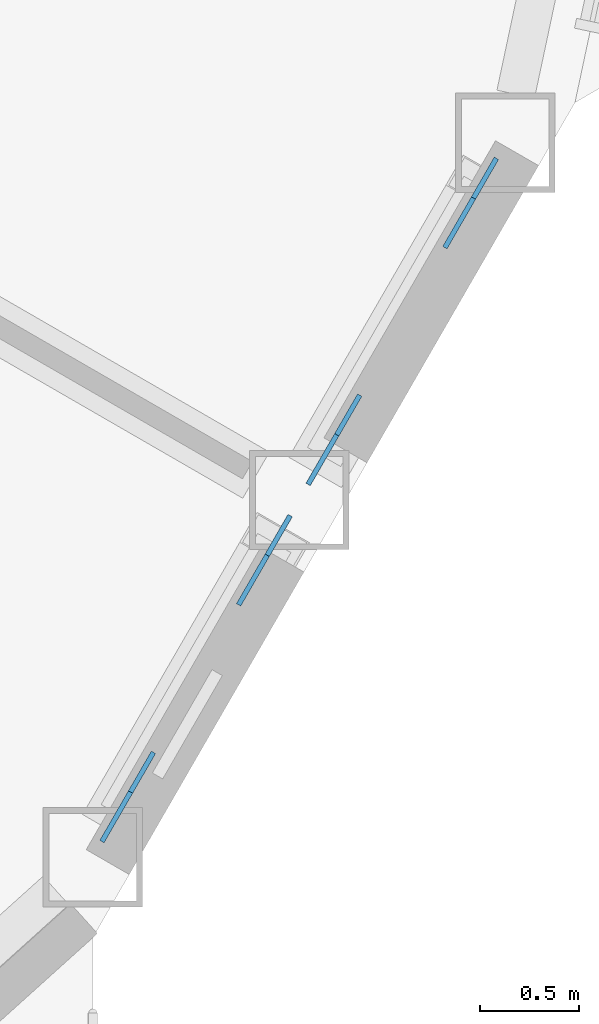
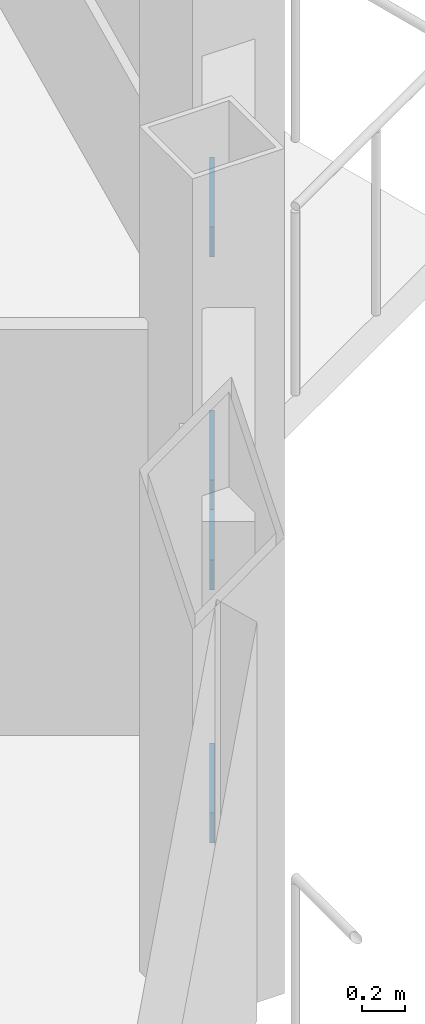
# One storey, part 20 of 26: 4 discrete accessories.
"""IFC4 building model written with IfcOpenShell, lengths in metres."""

import ifcopenshell
import ifcopenshell.guid

model = None  # the IFC model being written
_history = None  # IfcOwnerHistory: only IFC2X3 demands one
_inside = {}  # id of a spatial element -> (the spatial element, [elements in it])
_under = {}  # id of a project, library or spatial element -> (it, [spatial elements below it])
_declared = {}  # id of a project -> (the project, [libraries it declares])
_typed = {}  # id of a type object -> (the type object, [elements of that type])
_made_of = {}  # id of a material, layer set ... -> (it, [elements and type objects made of it])


def new_model(schema):
    """Start an empty IFC model of exactly this schema.

    Asked for "IFC4X3", IfcOpenShell would pick the latest addendum, in which some entities
    have other attributes; the version numbers below select the first issue.
    IFC2X3 requires an IfcOwnerHistory on every rooted entity: one is made here for all.
    """
    global model, _history
    if schema == "IFC4X3":
        model = ifcopenshell.file(schema_version=(4, 3, 0, 0))
    else:
        model = ifcopenshell.file(schema=schema)
    _inside.clear()
    _under.clear()
    _declared.clear()
    _typed.clear()
    _made_of.clear()
    _history = None
    if model.schema == "IFC2X3":
        org = make("IfcOrganization", Name="unknown")
        user = make(
            "IfcPersonAndOrganization",
            ThePerson=make("IfcPerson", FamilyName="unknown"),
            TheOrganization=org,
        )
        app = make(
            "IfcApplication",
            ApplicationDeveloper=org,
            Version="unknown",
            ApplicationFullName="unknown",
            ApplicationIdentifier="unknown",
        )
        _history = make(
            "IfcOwnerHistory",
            OwningUser=user,
            OwningApplication=app,
            ChangeAction="ADDED",
            CreationDate=0,
        )
    return model


def make(cls, **values):
    """One entity of the class cls with the attributes given. An attribute that is None is left unset."""
    return model.create_entity(
        cls, **{name: value for name, value in values.items() if value is not None}
    )


def rooted(cls, **values):
    """An entity with a GlobalId (a new one), such as an element, a storey or a relation."""
    return make(cls, GlobalId=ifcopenshell.guid.new(), OwnerHistory=_history, **values)


def si_unit(unit_type, name, prefix=None):
    """IfcSIUnit, for example si_unit("LENGTHUNIT", "METRE", prefix="MILLI")."""
    return make("IfcSIUnit", UnitType=unit_type, Prefix=prefix, Name=name)


def assignment(units):
    """IfcUnitAssignment: the units of a project."""
    return None if units is None else make("IfcUnitAssignment", Units=units)


def point(xyz):
    """IfcCartesianPoint."""
    return None if xyz is None else make("IfcCartesianPoint", Coordinates=xyz)


def direction(xyz):
    """IfcDirection."""
    return None if xyz is None else make("IfcDirection", DirectionRatios=xyz)


def frame(location, z_axis=None, x_axis=None):
    """IfcAxis2Placement3D, a coordinate frame: its origin and axes. An axis left out is left unset."""
    return make(
        "IfcAxis2Placement3D",
        Location=point(location),
        Axis=direction(z_axis),
        RefDirection=direction(x_axis),
    )


def frame_2d(location, x_axis=None):
    """IfcAxis2Placement2D, a coordinate frame in the plane: its origin and x axis."""
    return make(
        "IfcAxis2Placement2D", Location=point(location), RefDirection=direction(x_axis)
    )


def origin():
    """The frame at (0, 0, 0) with its axes left unset."""
    return frame((0.0, 0.0, 0.0))


def origin_2d():
    """The frame at (0, 0) in the plane with its x axis left unset."""
    return frame_2d((0.0, 0.0))


def place(relative_to, where):
    """IfcLocalPlacement: puts the frame where relative to a parent placement (None: the world)."""
    return make(
        "IfcLocalPlacement", PlacementRelTo=relative_to, RelativePlacement=where
    )


def context(
    kind, dimensions, precision=None, world=None, true_north=None, identifier=None
):
    """IfcGeometricRepresentationContext, for example the 3D "Model" context."""
    return make(
        "IfcGeometricRepresentationContext",
        ContextIdentifier=identifier,
        ContextType=kind,
        CoordinateSpaceDimension=dimensions,
        Precision=precision,
        WorldCoordinateSystem=world,
        TrueNorth=true_north,
    )


def subcontext(parent, identifier, kind, view, scale=None):
    """IfcGeometricRepresentationSubContext, for example "Body" below "Model"."""
    return make(
        "IfcGeometricRepresentationSubContext",
        ContextIdentifier=identifier,
        ContextType=kind,
        ParentContext=parent,
        TargetScale=scale,
        TargetView=view,
    )


def project(units=None, contexts=None):
    """IfcProject with its units and contexts."""
    return rooted(
        "IfcProject",
        Name="project",
        RepresentationContexts=contexts,
        UnitsInContext=assignment(units),
    )


def spatial(cls, under=None, at=None, **own):
    """A site, building, storey or space (cls), placed at a placement, below another one or the project."""
    s = rooted(cls, ObjectPlacement=at, **own)
    if under is not None:
        _under.setdefault(under.id(), (under, []))[1].append(s)
    return s


def profile(cls, at=None, kind="AREA", **sizes):
    """A parametric profile (cls). Its sizes go by their IFC names, for example OverallWidth=200.0."""
    return make(cls, ProfileType=kind, Position=at, **sizes)


def rectangle(**sizes):
    """IfcRectangleProfileDef."""
    return profile("IfcRectangleProfileDef", **sizes)


def extrude(swept, where, along, depth):
    """IfcExtrudedAreaSolid: the profile swept, set in the frame where, extruded along a direction by depth."""
    return make(
        "IfcExtrudedAreaSolid",
        SweptArea=swept,
        Position=where,
        ExtrudedDirection=direction(along),
        Depth=depth,
    )


def shape(context_of_items, identifier, shape_type, items):
    """IfcShapeRepresentation: the items that make up one representation, for example the "Body"."""
    return make(
        "IfcShapeRepresentation",
        ContextOfItems=context_of_items,
        RepresentationIdentifier=identifier,
        RepresentationType=shape_type,
        Items=items,
    )


def material(Name=None, Category=None):
    """IfcMaterial."""
    return make("IfcMaterial", Name=Name, Category=Category)


def material_profile(
    of_material, cross_section, Name=None, Category=None, Priority=None
):
    """IfcMaterialProfile: a cross section and its material."""
    return make(
        "IfcMaterialProfile",
        Name=Name,
        Material=of_material,
        Profile=cross_section,
        Priority=Priority,
        Category=Category,
    )


def profile_set(profiles, Name=None, composite=None):
    """IfcMaterialProfileSet."""
    return make(
        "IfcMaterialProfileSet",
        Name=Name,
        MaterialProfiles=profiles,
        CompositeProfile=composite,
    )


def made_of(thing, what):
    """Note that an element or type object is made of a material, layer set ...; save() writes the relation."""
    if what is not None:
        _made_of.setdefault(what.id(), (what, []))[1].append(thing)
    return thing


def type_object(cls, material=None, **own):
    """A type object (cls), such as IfcWallType, which elements share."""
    return made_of(rooted(cls, **own), material)


def element(
    cls,
    number,
    at=None,
    inside=None,
    cuts=None,
    type_object=None,
    material=None,
    context=None,
    identifier="Body",
    shape_type=None,
    held_by="IfcProductDefinitionShape",
    body=None,
    shapes=None,
    **own,
):
    """One element of the class cls, such as IfcWall. Its Tag is "e" and its number.

    at: its placement. inside: the storey or other place that contains it. cuts: it is an
    opening in that element (IfcRelVoidsElement). A single representation is given by context,
    identifier, shape_type and body (its items); several are given by shapes. held_by: the class
    of the entity that holds the representations. save() writes the other relations.
    """
    e = rooted(cls, Tag="e%d" % number, ObjectPlacement=at, **own)
    if body is not None:
        shapes = [shape(context, identifier, shape_type, body)]
    if shapes is not None:
        e.Representation = make(held_by, Representations=shapes)
    if inside is not None:
        _inside.setdefault(inside.id(), (inside, []))[1].append(e)
    if cuts is not None:
        rooted(
            "IfcRelVoidsElement", RelatingBuildingElement=cuts, RelatedOpeningElement=e
        )
    if type_object is not None:
        _typed.setdefault(type_object.id(), (type_object, []))[1].append(e)
    return made_of(e, material)


def aggregate(whole, parts):
    """IfcRelAggregates: a whole, such as a stair, and the parts it consists of."""
    return rooted("IfcRelAggregates", RelatingObject=whole, RelatedObjects=parts)


def save(model, path):
    """Write the relations noted so far, then the file.

    IfcRelAggregates (storeys below a building ...), IfcRelContainedInSpatialStructure (elements
    in a storey), IfcRelDefinesByType, IfcRelAssociatesMaterial and IfcRelDeclares: one each for
    every whole, place, type object, material and project.
    """
    for whole, parts in _under.values():
        aggregate(whole, parts)
    for where, things in _inside.values():
        rooted(
            "IfcRelContainedInSpatialStructure",
            RelatedElements=things,
            RelatingStructure=where,
        )
    for kind, things in _typed.values():
        rooted("IfcRelDefinesByType", RelatedObjects=things, RelatingType=kind)
    for what, things in _made_of.values():
        rooted("IfcRelAssociatesMaterial", RelatedObjects=things, RelatingMaterial=what)
    for by, libraries in _declared.values():
        rooted("IfcRelDeclares", RelatingContext=by, RelatedDefinitions=libraries)
    model.write(path)


model = new_model("IFC4")

# Units and contexts
model_context = context("Model", 3, precision=1e-05, world=origin(), true_north=direction((0.0, 1.0)))
body_context = subcontext(model_context, "Body", "Model", "MODEL_VIEW")
ifc_project = project(units=[si_unit("LENGTHUNIT", "METRE"), si_unit("AREAUNIT", "SQUARE_METRE"), si_unit("VOLUMEUNIT", "CUBIC_METRE"), si_unit("PLANEANGLEUNIT", "RADIAN"), si_unit("MASSUNIT", "GRAM", prefix="KILO")], contexts=[model_context])

# Site, building, storey
site_placement = place(None, origin())
site = spatial("IfcSite", under=ifc_project, at=site_placement, CompositionType="ELEMENT")
building_placement = place(site_placement, origin())
building = spatial("IfcBuilding", under=site, at=building_placement, Name="Cormorant Prow Tower", CompositionType="ELEMENT")
storey_placement = place(building_placement, frame((0.0, 0.0, 381.39990234375)))
storey = spatial("IfcBuildingStorey", under=building, at=storey_placement, Name="L86", CompositionType="ELEMENT", Elevation=381.39990234375)

# Discrete accessories
ifc_material = material(Name="Structural steel ASTM A500 Gr C", Category="steel")
ifc_material_profile = material_profile(ifc_material, rectangle(XDim=0.02490234375, YDim=0.405029296875, at=origin_2d()), Name="Gusset plate 25x405")
ifc_profile_set = profile_set([ifc_material_profile], Name="Structural steel ASTM A500 Gr C")
discrete_accessory_type = type_object("IfcDiscreteAccessoryType", Name="Gusset plate 25x405", PredefinedType="BRACKET", material=ifc_profile_set)
discrete_accessory_1_placement = place(storey_placement, frame((26.246826171875, -16.978271484375, 0.94140625), z_axis=(-0.411432439557, -0.711987323368, -0.5690319842), x_axis=(0.865832418869, -0.500334110806, 0.0)))
element("IfcDiscreteAccessory", 1, at=discrete_accessory_1_placement, inside=storey, type_object=discrete_accessory_type, Name="Gusset plate GP3 L86.ESE00.g0", PredefinedType="BRACKET", context=body_context, shape_type="SweptSolid", body=[
    extrude(rectangle(XDim=0.02490234375, YDim=0.405029296875, at=origin_2d()), origin(), (0.0, 0.0, 1.0), 0.35009765625),
])
discrete_accessory_2_placement = place(storey_placement, frame((26.7900390625, -16.037109375, 1.69287109375), z_axis=(0.411595697368, 0.712269842394, 0.568560158228), x_axis=(-0.865832418869, 0.500334110806, 0.0)))
element("IfcDiscreteAccessory", 2, at=discrete_accessory_2_placement, inside=storey, type_object=discrete_accessory_type, Name="Gusset plate GP3 L86.ESE00.g1", PredefinedType="BRACKET", context=body_context, shape_type="SweptSolid", body=[
    extrude(rectangle(XDim=0.02490234375, YDim=0.405029296875, at=origin_2d()), origin(), (0.0, 0.0, 1.0), 0.349853515625),
])
discrete_accessory_3_placement = place(storey_placement, frame((27.28369140625, -15.182373046875, 0.94140625), z_axis=(-0.411432439557, -0.711987323368, -0.5690319842), x_axis=(0.865832418869, -0.500334110806, 0.0)))
element("IfcDiscreteAccessory", 3, at=discrete_accessory_3_placement, inside=storey, type_object=discrete_accessory_type, Name="Gusset plate GP3 L86.ESE01.g0", PredefinedType="BRACKET", context=body_context, shape_type="SweptSolid", body=[
    extrude(rectangle(XDim=0.02490234375, YDim=0.405029296875, at=origin_2d()), origin(), (0.0, 0.0, 1.0), 0.35009765625),
])
discrete_accessory_4_placement = place(storey_placement, frame((27.8271484375, -14.2412109375, 1.69287109375), z_axis=(0.411016012482, 0.712474276306, 0.568723344945), x_axis=(-0.866199709737, 0.499697971631, 0.0)))
element("IfcDiscreteAccessory", 4, at=discrete_accessory_4_placement, inside=storey, type_object=discrete_accessory_type, Name="Gusset plate GP3 L86.ESE01.g1", PredefinedType="BRACKET", context=body_context, shape_type="SweptSolid", body=[
    extrude(rectangle(XDim=0.02490234375, YDim=0.405029296875, at=origin_2d()), origin(), (0.0, 0.0, 1.0), 0.349853515625),
])

save(model, "model.ifc")
